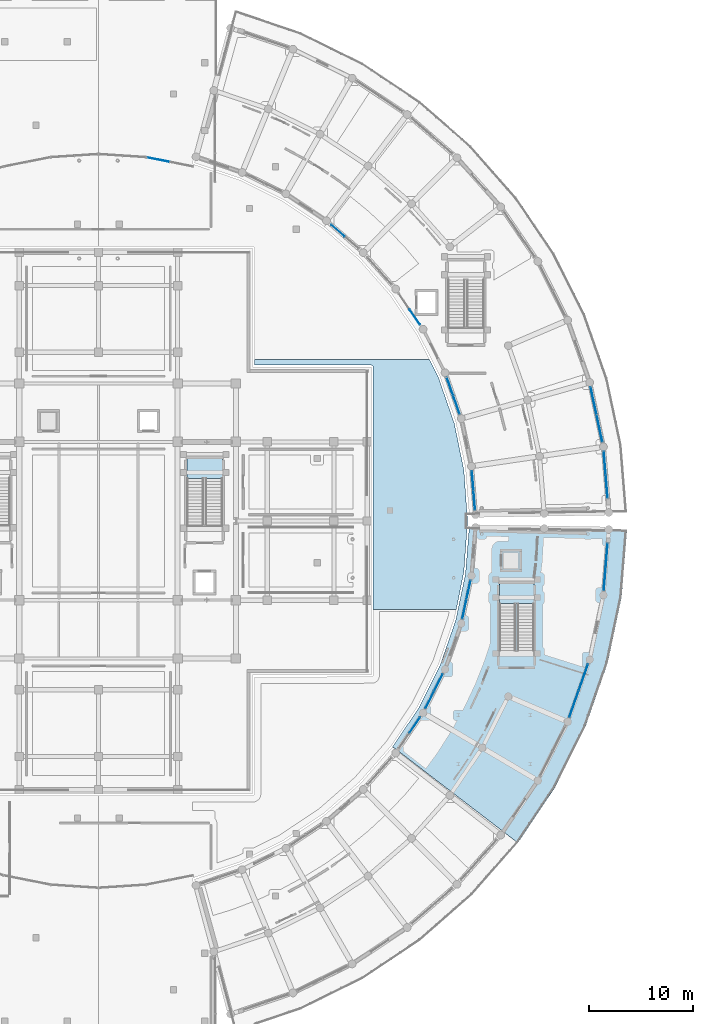
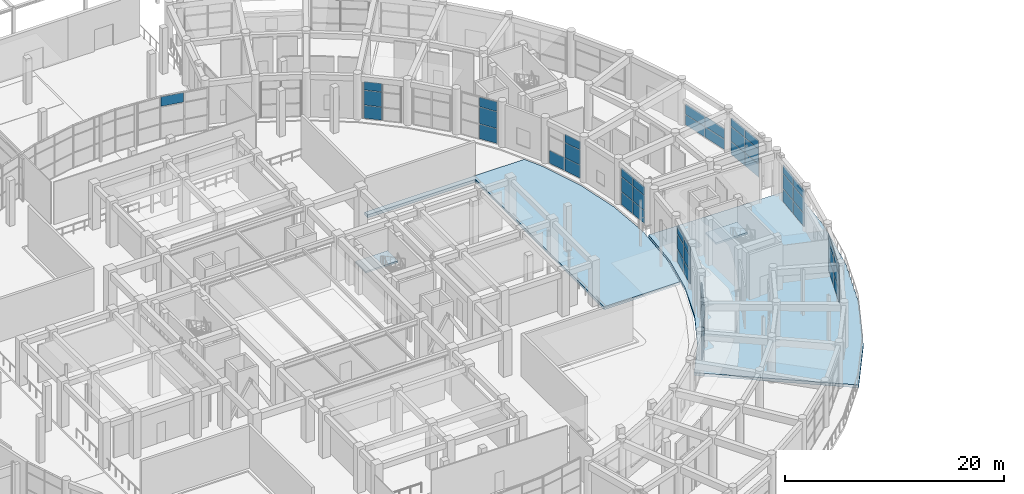
# One storey, part 60 of 99: 54 plates, 4 slabs, 14 elements without a shape of their own.
"""IFC4 building model written with IfcOpenShell, lengths in metres."""

from ifc_helpers import new_model, si_unit, direction, frame, origin, origin_2d, place, context, subcontext, project, spatial, polyline, rectangle, outline, extrude, material, layer, layer_set, type_object, element, aggregate, save


model = new_model("IFC4")

# Units and contexts
model_context = context("Model", 3, precision=1e-05, world=origin(), true_north=direction((0.0, 1.0)))
body_context = subcontext(model_context, "Body", "Model", "MODEL_VIEW")
ifc_project = project(units=[si_unit("LENGTHUNIT", "METRE"), si_unit("AREAUNIT", "SQUARE_METRE"), si_unit("VOLUMEUNIT", "CUBIC_METRE"), si_unit("PLANEANGLEUNIT", "RADIAN"), si_unit("MASSUNIT", "GRAM", prefix="KILO")], contexts=[model_context])

# Site, building, storey
site_placement = place(None, origin())
site = spatial("IfcSite", under=ifc_project, at=site_placement, CompositionType="ELEMENT")
building_placement = place(site_placement, origin())
building = spatial("IfcBuilding", under=site, at=building_placement, Name="Saryqyr Civic Hall", CompositionType="ELEMENT")
storey_placement = place(building_placement, origin())
storey = spatial("IfcBuildingStorey", under=building, at=storey_placement, Name="L00", CompositionType="ELEMENT", Elevation=0.0)

# Curtain wall, plates
ifc_material_1 = material(Name="Anodised aluminium and triple low-E glass", Category="aluminium")
curtain_wall_type_1 = type_object("IfcCurtainWallType", Name="ENV-CW-STD-09", PredefinedType="NOTDEFINED", material=ifc_material_1)
curtain_wall_1_placement = place(storey_placement, origin())
curtain_wall_1 = element("IfcCurtainWall", 1, at=curtain_wall_1_placement, inside=storey, type_object=curtain_wall_type_1, Name="Curtain wall V5-CWI-L00-05", PredefinedType="NOTDEFINED")
ifc_material_2 = material(Name="Triple low-E insulated glazing", Category="glass")
ifc_layer_1 = layer(ifc_material_2, 0.053955078125, Name="Triple low-E insulated glazing")
ifc_layer_set_1 = layer_set([ifc_layer_1], Name="Triple low-E insulated glazing")
plate_type = type_object("IfcPlateType", Name="ENV-CW-PNL-38", PredefinedType="CURTAIN_PANEL", material=ifc_layer_set_1)
plate_1_placement = place(storey_placement, frame((87.3603515625, 64.4033203125, 0.06005859375), z_axis=(0.0, 0.0, 1.0), x_axis=(0.563133092967, 0.826366213979, 0.0)))
plate_1 = element("IfcPlate", 2, at=plate_1_placement, type_object=plate_type, Name="CW-09 panel 2.1", PredefinedType="CURTAIN_PANEL", context=body_context, shape_type="SweptSolid", body=[
    extrude(rectangle(XDim=1.745361328125, YDim=0.053955078125, at=origin_2d()), origin(), (0.0, 0.0, 1.0), 1.419921875),
])
plate_2_placement = place(storey_placement, frame((87.3603515625, 64.4033203125, 1.5400390625), z_axis=(0.0, 0.0, 1.0), x_axis=(0.563133092967, 0.826366213979, 0.0)))
plate_2 = element("IfcPlate", 3, at=plate_2_placement, type_object=plate_type, Name="CW-09 panel 2.2", PredefinedType="CURTAIN_PANEL", context=body_context, shape_type="SweptSolid", body=[
    extrude(rectangle(XDim=1.745361328125, YDim=0.053955078125, at=origin_2d()), origin(), (0.0, 0.0, 1.0), 1.617919921875),
])
plate_3_placement = place(storey_placement, frame((87.3603515625, 64.4033203125, 3.218017578125), z_axis=(0.0, 0.0, 1.0), x_axis=(0.563133092967, 0.826366213979, 0.0)))
plate_3 = element("IfcPlate", 4, at=plate_3_placement, type_object=plate_type, Name="CW-09 panel 2.3", PredefinedType="CURTAIN_PANEL", context=body_context, shape_type="SweptSolid", body=[
    extrude(rectangle(XDim=1.745361328125, YDim=0.053955078125, at=origin_2d()), origin(), (0.0, 0.0, 1.0), 0.9169921875),
])
aggregate(curtain_wall_1, [plate_1, plate_2, plate_3])

curtain_wall_2_placement = place(storey_placement, origin())
curtain_wall_2 = element("IfcCurtainWall", 5, at=curtain_wall_2_placement, inside=storey, type_object=curtain_wall_type_1, Name="Curtain wall V5-CWI-L00-06", PredefinedType="NOTDEFINED")
plate_4_placement = place(storey_placement, frame((88.80859375, 66.8525390625, 0.06005859375), z_axis=(0.0, 0.0, 1.0), x_axis=(0.451949777601, 0.892043383769, 0.0)))
plate_4 = element("IfcPlate", 6, at=plate_4_placement, type_object=plate_type, Name="CW-09 panel 1.1", PredefinedType="CURTAIN_PANEL", context=body_context, shape_type="SweptSolid", body=[
    extrude(rectangle(XDim=1.782470703125, YDim=0.053955078125, at=origin_2d()), origin(), (0.0, 0.0, 1.0), 1.419921875),
])
plate_5_placement = place(storey_placement, frame((88.80859375, 66.8525390625, 1.5400390625), z_axis=(0.0, 0.0, 1.0), x_axis=(0.451949777601, 0.892043383769, 0.0)))
plate_5 = element("IfcPlate", 7, at=plate_5_placement, type_object=plate_type, Name="CW-09 panel 1.2", PredefinedType="CURTAIN_PANEL", context=body_context, shape_type="SweptSolid", body=[
    extrude(rectangle(XDim=1.782470703125, YDim=0.053955078125, at=origin_2d()), origin(), (0.0, 0.0, 1.0), 1.617919921875),
])
plate_6_placement = place(storey_placement, frame((88.80859375, 66.8525390625, 3.218017578125), z_axis=(0.0, 0.0, 1.0), x_axis=(0.451949777601, 0.892043383769, 0.0)))
plate_6 = element("IfcPlate", 8, at=plate_6_placement, type_object=plate_type, Name="CW-09 panel 1.3", PredefinedType="CURTAIN_PANEL", context=body_context, shape_type="SweptSolid", body=[
    extrude(rectangle(XDim=1.782470703125, YDim=0.053955078125, at=origin_2d()), origin(), (0.0, 0.0, 1.0), 0.9169921875),
])
plate_7_placement = place(storey_placement, frame((89.641357421875, 68.49609375, 0.06005859375), z_axis=(0.0, 0.0, 1.0), x_axis=(0.451949777601, 0.892043383769, 0.0)))
plate_7 = element("IfcPlate", 9, at=plate_7_placement, type_object=plate_type, Name="CW-09 panel 2.1", PredefinedType="CURTAIN_PANEL", context=body_context, shape_type="SweptSolid", body=[
    extrude(rectangle(XDim=1.782470703125, YDim=0.053955078125, at=origin_2d()), origin(), (0.0, 0.0, 1.0), 1.419921875),
])
plate_8_placement = place(storey_placement, frame((89.641357421875, 68.49609375, 1.5400390625), z_axis=(0.0, 0.0, 1.0), x_axis=(0.451949777601, 0.892043383769, 0.0)))
plate_8 = element("IfcPlate", 10, at=plate_8_placement, type_object=plate_type, Name="CW-09 panel 2.2", PredefinedType="CURTAIN_PANEL", context=body_context, shape_type="SweptSolid", body=[
    extrude(rectangle(XDim=1.782470703125, YDim=0.053955078125, at=origin_2d()), origin(), (0.0, 0.0, 1.0), 1.617919921875),
])
plate_9_placement = place(storey_placement, frame((89.641357421875, 68.49609375, 3.218017578125), z_axis=(0.0, 0.0, 1.0), x_axis=(0.451949777601, 0.892043383769, 0.0)))
plate_9 = element("IfcPlate", 11, at=plate_9_placement, type_object=plate_type, Name="CW-09 panel 2.3", PredefinedType="CURTAIN_PANEL", context=body_context, shape_type="SweptSolid", body=[
    extrude(rectangle(XDim=1.782470703125, YDim=0.053955078125, at=origin_2d()), origin(), (0.0, 0.0, 1.0), 0.9169921875),
])
aggregate(curtain_wall_2, [plate_4, plate_5, plate_6, plate_7, plate_8, plate_9])

curtain_wall_type_2 = type_object("IfcCurtainWallType", Name="ENV-CW-STD-35", PredefinedType="NOTDEFINED", material=ifc_material_1)
curtain_wall_3_placement = place(storey_placement, origin())
curtain_wall_3 = element("IfcCurtainWall", 12, at=curtain_wall_3_placement, inside=storey, type_object=curtain_wall_type_2, Name="Curtain wall V5-CWO-L00-07", PredefinedType="NOTDEFINED")
plate_10_placement = place(storey_placement, frame((103.552490234375, 68.977783203125, 0.06005859375), z_axis=(0.0, 0.0, 1.0), x_axis=(-0.333181095061, -0.942862852113, 0.0)))
plate_10 = element("IfcPlate", 13, at=plate_10_placement, type_object=plate_type, Name="CW-35 panel 1.1", PredefinedType="CURTAIN_PANEL", context=body_context, shape_type="SweptSolid", body=[
    extrude(rectangle(XDim=2.634033203125, YDim=0.053955078125, at=origin_2d()), origin(), (0.0, 0.0, 1.0), 1.419921875),
])
plate_11_placement = place(storey_placement, frame((103.552490234375, 68.977783203125, 1.5400390625), z_axis=(0.0, 0.0, 1.0), x_axis=(-0.333181095061, -0.942862852113, 0.0)))
plate_11 = element("IfcPlate", 14, at=plate_11_placement, type_object=plate_type, Name="CW-35 panel 1.2", PredefinedType="CURTAIN_PANEL", context=body_context, shape_type="SweptSolid", body=[
    extrude(rectangle(XDim=2.634033203125, YDim=0.053955078125, at=origin_2d()), origin(), (0.0, 0.0, 1.0), 1.617919921875),
])
plate_12_placement = place(storey_placement, frame((103.552490234375, 68.977783203125, 3.218017578125), z_axis=(0.0, 0.0, 1.0), x_axis=(-0.333181095061, -0.942862852113, 0.0)))
plate_12 = element("IfcPlate", 15, at=plate_12_placement, type_object=plate_type, Name="CW-35 panel 1.3", PredefinedType="CURTAIN_PANEL", context=body_context, shape_type="SweptSolid", body=[
    extrude(rectangle(XDim=2.634033203125, YDim=0.053955078125, at=origin_2d()), origin(), (0.0, 0.0, 1.0), 0.9169921875),
])
plate_13_placement = place(storey_placement, frame((102.65478515625, 66.437744140625, 0.06005859375), z_axis=(0.0, 0.0, 1.0), x_axis=(-0.333181095061, -0.942862852113, 0.0)))
plate_13 = element("IfcPlate", 16, at=plate_13_placement, type_object=plate_type, Name="CW-35 panel 2.1", PredefinedType="CURTAIN_PANEL", context=body_context, shape_type="SweptSolid", body=[
    extrude(rectangle(XDim=2.634033203125, YDim=0.053955078125, at=origin_2d()), origin(), (0.0, 0.0, 1.0), 1.419921875),
])
plate_14_placement = place(storey_placement, frame((102.65478515625, 66.437744140625, 1.5400390625), z_axis=(0.0, 0.0, 1.0), x_axis=(-0.333181095061, -0.942862852113, 0.0)))
plate_14 = element("IfcPlate", 17, at=plate_14_placement, type_object=plate_type, Name="CW-35 panel 2.2", PredefinedType="CURTAIN_PANEL", context=body_context, shape_type="SweptSolid", body=[
    extrude(rectangle(XDim=2.634033203125, YDim=0.053955078125, at=origin_2d()), origin(), (0.0, 0.0, 1.0), 1.617919921875),
])
plate_15_placement = place(storey_placement, frame((102.65478515625, 66.437744140625, 3.218017578125), z_axis=(0.0, 0.0, 1.0), x_axis=(-0.333181095061, -0.942862852113, 0.0)))
plate_15 = element("IfcPlate", 18, at=plate_15_placement, type_object=plate_type, Name="CW-35 panel 2.3", PredefinedType="CURTAIN_PANEL", context=body_context, shape_type="SweptSolid", body=[
    extrude(rectangle(XDim=2.634033203125, YDim=0.053955078125, at=origin_2d()), origin(), (0.0, 0.0, 1.0), 0.9169921875),
])
aggregate(curtain_wall_3, [plate_10, plate_11, plate_12, plate_13, plate_14, plate_15])

curtain_wall_type_3 = type_object("IfcCurtainWallType", Name="ENV-CW-STD-07", PredefinedType="NOTDEFINED", material=ifc_material_1)
curtain_wall_4_placement = place(storey_placement, origin())
curtain_wall_4 = element("IfcCurtainWall", 19, at=curtain_wall_4_placement, inside=storey, type_object=curtain_wall_type_3, Name="Curtain wall V5-CWI-L00-08", PredefinedType="NOTDEFINED")
plate_16_placement = place(storey_placement, frame((92.130859375, 75.532958984375, 0.06005859375), z_axis=(0.0, 0.0, 1.0), x_axis=(0.208909750792, 0.977934924228, 0.0)))
plate_16 = element("IfcPlate", 20, at=plate_16_placement, type_object=plate_type, Name="CW-07 panel 1.1", PredefinedType="CURTAIN_PANEL", context=body_context, shape_type="SweptSolid", body=[
    extrude(rectangle(XDim=1.8232421875, YDim=0.053955078125, at=origin_2d()), origin(), (0.0, 0.0, 1.0), 1.419921875),
])
plate_17_placement = place(storey_placement, frame((92.130859375, 75.532958984375, 1.5400390625), z_axis=(0.0, 0.0, 1.0), x_axis=(0.208909750792, 0.977934924228, 0.0)))
plate_17 = element("IfcPlate", 21, at=plate_17_placement, type_object=plate_type, Name="CW-07 panel 1.2", PredefinedType="CURTAIN_PANEL", context=body_context, shape_type="SweptSolid", body=[
    extrude(rectangle(XDim=1.8232421875, YDim=0.053955078125, at=origin_2d()), origin(), (0.0, 0.0, 1.0), 1.617919921875),
])
plate_18_placement = place(storey_placement, frame((92.130859375, 75.532958984375, 3.218017578125), z_axis=(0.0, 0.0, 1.0), x_axis=(0.208909750792, 0.977934924228, 0.0)))
plate_18 = element("IfcPlate", 22, at=plate_18_placement, type_object=plate_type, Name="CW-07 panel 1.3", PredefinedType="CURTAIN_PANEL", context=body_context, shape_type="SweptSolid", body=[
    extrude(rectangle(XDim=1.8232421875, YDim=0.053955078125, at=origin_2d()), origin(), (0.0, 0.0, 1.0), 0.9169921875),
])
plate_19_placement = place(storey_placement, frame((92.524169921875, 77.374755859375, 0.06005859375), z_axis=(0.0, 0.0, 1.0), x_axis=(0.208909750792, 0.977934924228, 0.0)))
plate_19 = element("IfcPlate", 23, at=plate_19_placement, type_object=plate_type, Name="CW-07 panel 2.1", PredefinedType="CURTAIN_PANEL", context=body_context, shape_type="SweptSolid", body=[
    extrude(rectangle(XDim=1.8232421875, YDim=0.053955078125, at=origin_2d()), origin(), (0.0, 0.0, 1.0), 1.419921875),
])
plate_20_placement = place(storey_placement, frame((92.524169921875, 77.374755859375, 1.5400390625), z_axis=(0.0, 0.0, 1.0), x_axis=(0.208909750792, 0.977934924228, 0.0)))
plate_20 = element("IfcPlate", 24, at=plate_20_placement, type_object=plate_type, Name="CW-07 panel 2.2", PredefinedType="CURTAIN_PANEL", context=body_context, shape_type="SweptSolid", body=[
    extrude(rectangle(XDim=1.8232421875, YDim=0.053955078125, at=origin_2d()), origin(), (0.0, 0.0, 1.0), 1.617919921875),
])
plate_21_placement = place(storey_placement, frame((92.524169921875, 77.374755859375, 3.218017578125), z_axis=(0.0, 0.0, 1.0), x_axis=(0.208909750792, 0.977934924228, 0.0)))
plate_21 = element("IfcPlate", 25, at=plate_21_placement, type_object=plate_type, Name="CW-07 panel 2.3", PredefinedType="CURTAIN_PANEL", context=body_context, shape_type="SweptSolid", body=[
    extrude(rectangle(XDim=1.8232421875, YDim=0.053955078125, at=origin_2d()), origin(), (0.0, 0.0, 1.0), 0.9169921875),
])
aggregate(curtain_wall_4, [plate_16, plate_17, plate_18, plate_19, plate_20, plate_21])

curtain_wall_type_4 = type_object("IfcCurtainWallType", Name="ENV-CW-STD-32", PredefinedType="NOTDEFINED", material=ifc_material_1)
curtain_wall_5_placement = place(storey_placement, origin())
curtain_wall_5 = element("IfcCurtainWall", 26, at=curtain_wall_5_placement, inside=storey, type_object=curtain_wall_type_4, Name="Curtain wall V5-CWO-L00-09", PredefinedType="NOTDEFINED")
plate_22_placement = place(storey_placement, frame((105.79345703125, 80.7314453125, 0.06005859375), z_axis=(0.0, 0.0, 1.0), x_axis=(-0.081093274213, -0.996706516923, 0.0)))
plate_22 = element("IfcPlate", 27, at=plate_22_placement, type_object=plate_type, Name="CW-32 panel 1.1", PredefinedType="CURTAIN_PANEL", context=body_context, shape_type="SweptSolid", body=[
    extrude(rectangle(XDim=2.218505859375, YDim=0.053955078125, at=origin_2d()), origin(), (0.0, 0.0, 1.0), 1.419921875),
])
plate_23_placement = place(storey_placement, frame((105.79345703125, 80.7314453125, 1.5400390625), z_axis=(0.0, 0.0, 1.0), x_axis=(-0.081093274213, -0.996706516923, 0.0)))
plate_23 = element("IfcPlate", 28, at=plate_23_placement, type_object=plate_type, Name="CW-32 panel 1.2", PredefinedType="CURTAIN_PANEL", context=body_context, shape_type="SweptSolid", body=[
    extrude(rectangle(XDim=2.218505859375, YDim=0.053955078125, at=origin_2d()), origin(), (0.0, 0.0, 1.0), 1.617919921875),
])
plate_24_placement = place(storey_placement, frame((105.79345703125, 80.7314453125, 3.218017578125), z_axis=(0.0, 0.0, 1.0), x_axis=(-0.081093274213, -0.996706516923, 0.0)))
plate_24 = element("IfcPlate", 29, at=plate_24_placement, type_object=plate_type, Name="CW-32 panel 1.3", PredefinedType="CURTAIN_PANEL", context=body_context, shape_type="SweptSolid", body=[
    extrude(rectangle(XDim=2.218505859375, YDim=0.053955078125, at=origin_2d()), origin(), (0.0, 0.0, 1.0), 0.9169921875),
])
plate_25_placement = place(storey_placement, frame((105.608642578125, 78.46044921875, 0.06005859375), z_axis=(0.0, 0.0, 1.0), x_axis=(-0.081093274213, -0.996706516923, 0.0)))
plate_25 = element("IfcPlate", 30, at=plate_25_placement, type_object=plate_type, Name="CW-32 panel 2.1", PredefinedType="CURTAIN_PANEL", context=body_context, shape_type="SweptSolid", body=[
    extrude(rectangle(XDim=2.218505859375, YDim=0.053955078125, at=origin_2d()), origin(), (0.0, 0.0, 1.0), 1.419921875),
])
plate_26_placement = place(storey_placement, frame((105.608642578125, 78.46044921875, 1.5400390625), z_axis=(0.0, 0.0, 1.0), x_axis=(-0.081093274213, -0.996706516923, 0.0)))
plate_26 = element("IfcPlate", 31, at=plate_26_placement, type_object=plate_type, Name="CW-32 panel 2.2", PredefinedType="CURTAIN_PANEL", context=body_context, shape_type="SweptSolid", body=[
    extrude(rectangle(XDim=2.218505859375, YDim=0.053955078125, at=origin_2d()), origin(), (0.0, 0.0, 1.0), 1.617919921875),
])
plate_27_placement = place(storey_placement, frame((105.608642578125, 78.46044921875, 3.218017578125), z_axis=(0.0, 0.0, 1.0), x_axis=(-0.081093274213, -0.996706516923, 0.0)))
plate_27 = element("IfcPlate", 32, at=plate_27_placement, type_object=plate_type, Name="CW-32 panel 2.3", PredefinedType="CURTAIN_PANEL", context=body_context, shape_type="SweptSolid", body=[
    extrude(rectangle(XDim=2.218505859375, YDim=0.053955078125, at=origin_2d()), origin(), (0.0, 0.0, 1.0), 0.9169921875),
])
aggregate(curtain_wall_5, [plate_22, plate_23, plate_24, plate_25, plate_26, plate_27])

curtain_wall_type_5 = type_object("IfcCurtainWallType", Name="ENV-CW-STD-12", PredefinedType="NOTDEFINED", material=ifc_material_1)
curtain_wall_6_placement = place(storey_placement, origin())
curtain_wall_6 = element("IfcCurtainWall", 33, at=curtain_wall_6_placement, inside=storey, type_object=curtain_wall_type_5, Name="Curtain wall V6-CWO-L00-00", PredefinedType="NOTDEFINED")
plate_28_placement = place(storey_placement, frame((105.607177734375, 89.558349609375, 0.06005859375), z_axis=(0.0, 0.0, 1.0), x_axis=(0.081093731966, -0.99670647968, 0.0)))
plate_28 = element("IfcPlate", 34, at=plate_28_placement, type_object=plate_type, Name="CW-12 panel 1.1", PredefinedType="CURTAIN_PANEL", context=body_context, shape_type="SweptSolid", body=[
    extrude(rectangle(XDim=2.180908203125, YDim=0.053955078125, at=origin_2d()), origin(), (0.0, 0.0, 1.0), 1.419921875),
])
plate_29_placement = place(storey_placement, frame((105.607177734375, 89.558349609375, 1.5400390625), z_axis=(0.0, 0.0, 1.0), x_axis=(0.081093731966, -0.99670647968, 0.0)))
plate_29 = element("IfcPlate", 35, at=plate_29_placement, type_object=plate_type, Name="CW-12 panel 1.2", PredefinedType="CURTAIN_PANEL", context=body_context, shape_type="SweptSolid", body=[
    extrude(rectangle(XDim=2.180908203125, YDim=0.053955078125, at=origin_2d()), origin(), (0.0, 0.0, 1.0), 1.617919921875),
])
plate_30_placement = place(storey_placement, frame((105.607177734375, 89.558349609375, 3.218017578125), z_axis=(0.0, 0.0, 1.0), x_axis=(0.081093731966, -0.99670647968, 0.0)))
plate_30 = element("IfcPlate", 36, at=plate_30_placement, type_object=plate_type, Name="CW-12 panel 1.3", PredefinedType="CURTAIN_PANEL", context=body_context, shape_type="SweptSolid", body=[
    extrude(rectangle(XDim=2.180908203125, YDim=0.053955078125, at=origin_2d()), origin(), (0.0, 0.0, 1.0), 0.9169921875),
])
plate_31_placement = place(storey_placement, frame((105.788818359375, 87.324951171875, 0.06005859375), z_axis=(0.0, 0.0, 1.0), x_axis=(0.081093731966, -0.99670647968, 0.0)))
plate_31 = element("IfcPlate", 37, at=plate_31_placement, type_object=plate_type, Name="CW-12 panel 2.1", PredefinedType="CURTAIN_PANEL", context=body_context, shape_type="SweptSolid", body=[
    extrude(rectangle(XDim=2.180908203125, YDim=0.053955078125, at=origin_2d()), origin(), (0.0, 0.0, 1.0), 1.419921875),
])
plate_32_placement = place(storey_placement, frame((105.788818359375, 87.324951171875, 1.5400390625), z_axis=(0.0, 0.0, 1.0), x_axis=(0.081093731966, -0.99670647968, 0.0)))
plate_32 = element("IfcPlate", 38, at=plate_32_placement, type_object=plate_type, Name="CW-12 panel 2.2", PredefinedType="CURTAIN_PANEL", context=body_context, shape_type="SweptSolid", body=[
    extrude(rectangle(XDim=2.180908203125, YDim=0.053955078125, at=origin_2d()), origin(), (0.0, 0.0, 1.0), 1.617919921875),
])
plate_33_placement = place(storey_placement, frame((105.788818359375, 87.324951171875, 3.218017578125), z_axis=(0.0, 0.0, 1.0), x_axis=(0.081093731966, -0.99670647968, 0.0)))
plate_33 = element("IfcPlate", 39, at=plate_33_placement, type_object=plate_type, Name="CW-12 panel 2.3", PredefinedType="CURTAIN_PANEL", context=body_context, shape_type="SweptSolid", body=[
    extrude(rectangle(XDim=2.180908203125, YDim=0.053955078125, at=origin_2d()), origin(), (0.0, 0.0, 1.0), 0.9169921875),
])
aggregate(curtain_wall_6, [plate_28, plate_29, plate_30, plate_31, plate_32, plate_33])

curtain_wall_7_placement = place(storey_placement, origin())
curtain_wall_7 = element("IfcCurtainWall", 40, at=curtain_wall_7_placement, inside=storey, type_object=curtain_wall_type_3, Name="Curtain wall V6-CWI-L00-00", PredefinedType="NOTDEFINED")
plate_34_placement = place(storey_placement, frame((93.08203125, 85.987548828125, 0.06005859375), z_axis=(0.0, 0.0, 1.0), x_axis=(-0.081091878651, 0.996706630467, 0.0)))
plate_34 = element("IfcPlate", 41, at=plate_34_placement, type_object=plate_type, Name="CW-07 panel 1.1", PredefinedType="CURTAIN_PANEL", context=body_context, shape_type="SweptSolid", body=[
    extrude(rectangle(XDim=1.831298828125, YDim=0.053955078125, at=origin_2d()), origin(), (0.0, 0.0, 1.0), 1.419921875),
])
plate_35_placement = place(storey_placement, frame((93.08203125, 85.987548828125, 1.5400390625), z_axis=(0.0, 0.0, 1.0), x_axis=(-0.081091878651, 0.996706630467, 0.0)))
plate_35 = element("IfcPlate", 42, at=plate_35_placement, type_object=plate_type, Name="CW-07 panel 1.2", PredefinedType="CURTAIN_PANEL", context=body_context, shape_type="SweptSolid", body=[
    extrude(rectangle(XDim=1.831298828125, YDim=0.053955078125, at=origin_2d()), origin(), (0.0, 0.0, 1.0), 1.617919921875),
])
plate_36_placement = place(storey_placement, frame((93.08203125, 85.987548828125, 3.218017578125), z_axis=(0.0, 0.0, 1.0), x_axis=(-0.081091878651, 0.996706630467, 0.0)))
plate_36 = element("IfcPlate", 43, at=plate_36_placement, type_object=plate_type, Name="CW-07 panel 1.3", PredefinedType="CURTAIN_PANEL", context=body_context, shape_type="SweptSolid", body=[
    extrude(rectangle(XDim=1.831298828125, YDim=0.053955078125, at=origin_2d()), origin(), (0.0, 0.0, 1.0), 0.9169921875),
])
plate_37_placement = place(storey_placement, frame((92.9287109375, 87.87255859375, 0.06005859375), z_axis=(0.0, 0.0, 1.0), x_axis=(-0.081091878651, 0.996706630467, 0.0)))
plate_37 = element("IfcPlate", 44, at=plate_37_placement, type_object=plate_type, Name="CW-07 panel 2.1", PredefinedType="CURTAIN_PANEL", context=body_context, shape_type="SweptSolid", body=[
    extrude(rectangle(XDim=1.831298828125, YDim=0.053955078125, at=origin_2d()), origin(), (0.0, 0.0, 1.0), 1.419921875),
])
plate_38_placement = place(storey_placement, frame((92.9287109375, 87.87255859375, 1.5400390625), z_axis=(0.0, 0.0, 1.0), x_axis=(-0.081091878651, 0.996706630467, 0.0)))
plate_38 = element("IfcPlate", 45, at=plate_38_placement, type_object=plate_type, Name="CW-07 panel 2.2", PredefinedType="CURTAIN_PANEL", context=body_context, shape_type="SweptSolid", body=[
    extrude(rectangle(XDim=1.831298828125, YDim=0.053955078125, at=origin_2d()), origin(), (0.0, 0.0, 1.0), 1.617919921875),
])
plate_39_placement = place(storey_placement, frame((92.9287109375, 87.87255859375, 3.218017578125), z_axis=(0.0, 0.0, 1.0), x_axis=(-0.081091878651, 0.996706630467, 0.0)))
plate_39 = element("IfcPlate", 46, at=plate_39_placement, type_object=plate_type, Name="CW-07 panel 2.3", PredefinedType="CURTAIN_PANEL", context=body_context, shape_type="SweptSolid", body=[
    extrude(rectangle(XDim=1.831298828125, YDim=0.053955078125, at=origin_2d()), origin(), (0.0, 0.0, 1.0), 0.9169921875),
])
aggregate(curtain_wall_7, [plate_34, plate_35, plate_36, plate_37, plate_38, plate_39])

curtain_wall_type_6 = type_object("IfcCurtainWallType", Name="ENV-CW-STD-38", PredefinedType="NOTDEFINED", material=ifc_material_1)
curtain_wall_8_placement = place(storey_placement, origin())
curtain_wall_8 = element("IfcCurtainWall", 47, at=curtain_wall_8_placement, inside=storey, type_object=curtain_wall_type_6, Name="Curtain wall V6-CWO-L00-01", PredefinedType="NOTDEFINED")
plate_40_placement = place(storey_placement, frame((104.535888671875, 95.53955078125, 0.06005859375), z_axis=(0.0, 0.0, 1.0), x_axis=(0.208915877242, -0.977933615455, 0.0)))
plate_40 = element("IfcPlate", 48, at=plate_40_placement, type_object=plate_type, Name="CW-38 panel 1.1", PredefinedType="CURTAIN_PANEL", context=body_context, shape_type="SweptSolid", body=[
    extrude(rectangle(XDim=2.64990234375, YDim=0.053955078125, at=origin_2d()), origin(), (0.0, 0.0, 1.0), 1.135009765625),
])
plate_41_placement = place(storey_placement, frame((104.535888671875, 95.53955078125, 1.2548828125), z_axis=(0.0, 0.0, 1.0), x_axis=(0.208915877242, -0.977933615455, 0.0)))
plate_41 = element("IfcPlate", 49, at=plate_41_placement, type_object=plate_type, Name="CW-38 panel 1.2", PredefinedType="CURTAIN_PANEL", context=body_context, shape_type="SweptSolid", body=[
    extrude(rectangle(XDim=2.64990234375, YDim=0.053955078125, at=origin_2d()), origin(), (0.0, 0.0, 1.0), 1.135009765625),
])
plate_42_placement = place(storey_placement, frame((105.10205078125, 92.889404296875, 0.06005859375), z_axis=(0.0, 0.0, 1.0), x_axis=(0.208915877242, -0.977933615455, 0.0)))
plate_42 = element("IfcPlate", 50, at=plate_42_placement, type_object=plate_type, Name="CW-38 panel 2.1", PredefinedType="CURTAIN_PANEL", context=body_context, shape_type="SweptSolid", body=[
    extrude(rectangle(XDim=2.64990234375, YDim=0.053955078125, at=origin_2d()), origin(), (0.0, 0.0, 1.0), 1.135009765625),
])
plate_43_placement = place(storey_placement, frame((105.10205078125, 92.889404296875, 1.2548828125), z_axis=(0.0, 0.0, 1.0), x_axis=(0.208915877242, -0.977933615455, 0.0)))
plate_43 = element("IfcPlate", 51, at=plate_43_placement, type_object=plate_type, Name="CW-38 panel 2.2", PredefinedType="CURTAIN_PANEL", context=body_context, shape_type="SweptSolid", body=[
    extrude(rectangle(XDim=2.64990234375, YDim=0.053955078125, at=origin_2d()), origin(), (0.0, 0.0, 1.0), 1.135009765625),
])
aggregate(curtain_wall_8, [plate_40, plate_41, plate_42, plate_43])

curtain_wall_9_placement = place(storey_placement, origin())
curtain_wall_9 = element("IfcCurtainWall", 52, at=curtain_wall_9_placement, inside=storey, type_object=curtain_wall_type_3, Name="Curtain wall V6-CWI-L00-02", PredefinedType="NOTDEFINED")
plate_44_placement = place(storey_placement, frame((91.371337890625, 95.156005859375, 0.06005859375), z_axis=(0.0, 0.0, 1.0), x_axis=(-0.333172944954, 0.942865732091, 0.0)))
plate_44 = element("IfcPlate", 53, at=plate_44_placement, type_object=plate_type, Name="CW-07 panel 1.1", PredefinedType="CURTAIN_PANEL", context=body_context, shape_type="SweptSolid", body=[
    extrude(rectangle(XDim=1.8076171875, YDim=0.053955078125, at=origin_2d()), origin(), (0.0, 0.0, 1.0), 1.419921875),
])
plate_45_placement = place(storey_placement, frame((91.371337890625, 95.156005859375, 1.5400390625), z_axis=(0.0, 0.0, 1.0), x_axis=(-0.333172944954, 0.942865732091, 0.0)))
plate_45 = element("IfcPlate", 54, at=plate_45_placement, type_object=plate_type, Name="CW-07 panel 1.2", PredefinedType="CURTAIN_PANEL", context=body_context, shape_type="SweptSolid", body=[
    extrude(rectangle(XDim=1.8076171875, YDim=0.053955078125, at=origin_2d()), origin(), (0.0, 0.0, 1.0), 1.617919921875),
])
plate_46_placement = place(storey_placement, frame((91.371337890625, 95.156005859375, 3.218017578125), z_axis=(0.0, 0.0, 1.0), x_axis=(-0.333172944954, 0.942865732091, 0.0)))
plate_46 = element("IfcPlate", 55, at=plate_46_placement, type_object=plate_type, Name="CW-07 panel 1.3", PredefinedType="CURTAIN_PANEL", context=body_context, shape_type="SweptSolid", body=[
    extrude(rectangle(XDim=1.8076171875, YDim=0.053955078125, at=origin_2d()), origin(), (0.0, 0.0, 1.0), 0.9169921875),
])
plate_47_placement = place(storey_placement, frame((90.749267578125, 96.916748046875, 0.06005859375), z_axis=(0.0, 0.0, 1.0), x_axis=(-0.333172944954, 0.942865732091, 0.0)))
plate_47 = element("IfcPlate", 56, at=plate_47_placement, type_object=plate_type, Name="CW-07 panel 2.1", PredefinedType="CURTAIN_PANEL", context=body_context, shape_type="SweptSolid", body=[
    extrude(rectangle(XDim=1.8076171875, YDim=0.053955078125, at=origin_2d()), origin(), (0.0, 0.0, 1.0), 1.419921875),
])
aggregate(curtain_wall_9, [plate_44, plate_45, plate_46, plate_47])

curtain_wall_type_7 = type_object("IfcCurtainWallType", Name="ENV-CW-STD-43", PredefinedType="NOTDEFINED", material=ifc_material_1)
curtain_wall_10_placement = place(storey_placement, origin())
curtain_wall_10 = element("IfcCurtainWall", 57, at=curtain_wall_10_placement, inside=storey, type_object=curtain_wall_type_7, Name="Curtain wall V6-CWI-L00-04", PredefinedType="NOTDEFINED")
plate_48_placement = place(storey_placement, frame((87.3603515625, 103.5966796875, 0.06005859375), z_axis=(0.0, 0.0, 1.0), x_axis=(-0.563133092967, 0.826366213979, 0.0)))
plate_48 = element("IfcPlate", 58, at=plate_48_placement, type_object=plate_type, Name="CW-43 panel 1.1", PredefinedType="CURTAIN_PANEL", context=body_context, shape_type="SweptSolid", body=[
    extrude(rectangle(XDim=1.745361328125, YDim=0.053955078125, at=origin_2d()), origin(), (0.0, 0.0, 1.0), 1.6201171875),
])
plate_49_placement = place(storey_placement, frame((87.3603515625, 103.5966796875, 1.73974609375), z_axis=(0.0, 0.0, 1.0), x_axis=(-0.563133092967, 0.826366213979, 0.0)))
plate_49 = element("IfcPlate", 59, at=plate_49_placement, type_object=plate_type, Name="CW-43 panel 1.2", PredefinedType="CURTAIN_PANEL", context=body_context, shape_type="SweptSolid", body=[
    extrude(rectangle(XDim=1.745361328125, YDim=0.053955078125, at=origin_2d()), origin(), (0.0, 0.0, 1.0), 1.840087890625),
])
plate_50_placement = place(storey_placement, frame((87.3603515625, 103.5966796875, 3.64013671875), z_axis=(0.0, 0.0, 1.0), x_axis=(-0.563133092967, 0.826366213979, 0.0)))
plate_50 = element("IfcPlate", 60, at=plate_50_placement, type_object=plate_type, Name="CW-43 panel 1.3", PredefinedType="CURTAIN_PANEL", context=body_context, shape_type="SweptSolid", body=[
    extrude(rectangle(XDim=1.745361328125, YDim=0.053955078125, at=origin_2d()), origin(), (0.0, 0.0, 1.0), 1.050048828125),
])
aggregate(curtain_wall_10, [plate_48, plate_49, plate_50])

curtain_wall_type_8 = type_object("IfcCurtainWallType", Name="ENV-CW-STD-11", PredefinedType="NOTDEFINED", material=ifc_material_1)
curtain_wall_11_placement = place(storey_placement, origin())
curtain_wall_11 = element("IfcCurtainWall", 61, at=curtain_wall_11_placement, inside=storey, type_object=curtain_wall_type_8, Name="Curtain wall V6-CWI-L00-06", PredefinedType="NOTDEFINED")
plate_51_placement = place(storey_placement, frame((79.99609375, 111.87353515625, 0.06005859375), z_axis=(0.0, 0.0, 1.0), x_axis=(-0.755649416541, 0.654976304367, 0.0)))
plate_51 = element("IfcPlate", 62, at=plate_51_placement, type_object=plate_type, Name="CW-11 panel 2.1", PredefinedType="CURTAIN_PANEL", context=body_context, shape_type="SweptSolid", body=[
    extrude(rectangle(XDim=1.698486328125, YDim=0.053955078125, at=origin_2d()), origin(), (0.0, 0.0, 1.0), 1.419921875),
])
plate_52_placement = place(storey_placement, frame((79.99609375, 111.87353515625, 1.5400390625), z_axis=(0.0, 0.0, 1.0), x_axis=(-0.755649416541, 0.654976304367, 0.0)))
plate_52 = element("IfcPlate", 63, at=plate_52_placement, type_object=plate_type, Name="CW-11 panel 2.2", PredefinedType="CURTAIN_PANEL", context=body_context, shape_type="SweptSolid", body=[
    extrude(rectangle(XDim=1.698486328125, YDim=0.053955078125, at=origin_2d()), origin(), (0.0, 0.0, 1.0), 1.617919921875),
])
plate_53_placement = place(storey_placement, frame((79.99609375, 111.87353515625, 3.218017578125), z_axis=(0.0, 0.0, 1.0), x_axis=(-0.755649416541, 0.654976304367, 0.0)))
plate_53 = element("IfcPlate", 64, at=plate_53_placement, type_object=plate_type, Name="CW-11 panel 2.3", PredefinedType="CURTAIN_PANEL", context=body_context, shape_type="SweptSolid", body=[
    extrude(rectangle(XDim=1.698486328125, YDim=0.053955078125, at=origin_2d()), origin(), (0.0, 0.0, 1.0), 0.9169921875),
])
aggregate(curtain_wall_11, [plate_51, plate_52, plate_53])

# Curtain wall, plate
curtain_wall_type_9 = type_object("IfcCurtainWallType", Name="ENV-CW-STD-67", PredefinedType="NOTDEFINED", material=ifc_material_1)
curtain_wall_12_placement = place(storey_placement, origin())
curtain_wall_12 = element("IfcCurtainWall", 65, at=curtain_wall_12_placement, inside=storey, type_object=curtain_wall_type_9, Name="Curtain wall V2-PERIM-CW-L00-10", PredefinedType="NOTDEFINED")
plate_54_placement = place(storey_placement, frame((62.741455078125, 118.691162109375, 3.64013671875), z_axis=(0.0, 0.0, 1.0), x_axis=(0.980784679507, -0.195093342902, 0.0)))
plate_54 = element("IfcPlate", 66, at=plate_54_placement, type_object=plate_type, Name="CW-67 panel 1.3", PredefinedType="CURTAIN_PANEL", context=body_context, shape_type="SweptSolid", body=[
    extrude(rectangle(XDim=2.213623046875, YDim=0.053955078125, at=origin_2d()), origin(), (0.0, 0.0, 1.0), 1.050048828125),
])
aggregate(curtain_wall_12, [plate_54])

# Slabs
ifc_material_3 = material(Name="Concrete C40/50", Category="concrete")
ifc_layer_2 = layer(ifc_material_3, 0.320068359375, Name="Concrete C40/50")
ifc_layer_set_2 = layer_set([ifc_layer_2], Name="Concrete C40/50")
slab_type_1 = type_object("IfcSlabType", Name="STR-SLB-FLR-320", PredefinedType="FLOOR", material=ifc_layer_set_2)
slab_1_placement = place(storey_placement, frame((0.0, 0.0, -0.320068359375)))
element("IfcSlab", 67, at=slab_1_placement, inside=storey, type_object=slab_type_1, Name="Slab SLB-V5B-L00", PredefinedType="FLOOR", context=body_context, shape_type="SweptSolid", body=[
    extrude(outline(polyline([(87.771240234375, 66.097900390625), (89.799072265625, 70.15869140625), (91.293701171875, 74.4443359375), (92.230712890625, 78.885498046875), (92.59521484375, 83.409912109375), (107.742919921875, 83.15869140625), (107.223388671875, 76.708984375), (105.8876953125, 70.3779296875), (103.757080078125, 64.268310546875), (100.866455078125, 58.4794921875), (97.2626953125, 53.10546875), (85.243408203125, 62.328125), (87.771240234375, 66.097900390625)])), origin(), (0.0, 0.0, 1.0), 0.320068359375),
])
slab_2_placement = place(storey_placement, frame((0.0, 0.0, -0.320068359375)))
element("IfcSlab", 68, at=slab_2_placement, inside=storey, type_object=slab_type_1, Name="Slab SLB-V2E-L00", PredefinedType="FLOOR", context=body_context, shape_type="SweptSolid", body=[
    extrude(outline(polyline([(89.66748046875, 97.714111328125), (91.16455078125, 93.372314453125), (92.08740234375, 88.873779296875), (92.43994140625, 84.0), (92.091064453125, 79.143798828125), (91.352783203125, 75.5), (83.360107421875, 75.5), (83.341064453125, 98.87548828125), (83.288818359375, 98.93310546875), (83.199951171875, 98.9599609375), (71.9599609375, 98.9599609375), (71.9599609375, 99.5), (88.78662109375, 99.5), (89.66748046875, 97.714111328125)])), origin(), (0.0, 0.0, 1.0), 0.320068359375),
])

# Stair, slab
ifc_material_4 = material(Name="Concrete C35/45", Category="concrete")
stair_type_1 = type_object("IfcStairType", Name="INT-STR-ST-2", PredefinedType="HALF_TURN_STAIR", material=ifc_material_4)
stair_1_placement = place(storey_placement, origin())
stair_1 = element("IfcStair", 69, at=stair_1_placement, inside=storey, type_object=stair_type_1, Name="L00 Protected Exit Stair ST-2", PredefinedType="HALF_TURN_STAIR")
ifc_layer_3 = layer(ifc_material_4, 0.199951171875, Name="Concrete C35/45")
ifc_layer_set_3 = layer_set([ifc_layer_3], Name="Concrete C35/45")
slab_type_2 = type_object("IfcSlabType", Name="STR-SLB-LND-200", PredefinedType="LANDING", material=ifc_layer_set_3)
slab_3_placement = place(storey_placement, frame((0.0, 0.0, 2.35009765625)))
slab_3 = element("IfcSlab", 70, at=slab_3_placement, type_object=slab_type_2, Name="ST-2 landing 1", PredefinedType="LANDING", context=body_context, shape_type="SweptSolid", body=[
    extrude(outline(polyline([(68.89990234375, 88.10009765625), (68.89990234375, 90.0), (65.5, 90.0), (65.5, 88.10009765625), (68.89990234375, 88.10009765625)])), origin(), (0.0, 0.0, 1.0), 0.199951171875),
])
aggregate(stair_1, [slab_3])

stair_type_2 = type_object("IfcStairType", Name="INT-STR-ST-5", PredefinedType="HALF_TURN_STAIR", material=ifc_material_4)
stair_2_placement = place(storey_placement, origin())
stair_2 = element("IfcStair", 71, at=stair_2_placement, inside=storey, type_object=stair_type_2, Name="L00 Protected Exit Stair ST-5", PredefinedType="HALF_TURN_STAIR")
slab_4_placement = place(storey_placement, frame((0.0, 0.0, 2.35009765625)))
slab_4 = element("IfcSlab", 72, at=slab_4_placement, type_object=slab_type_2, Name="ST-5 landing 1", PredefinedType="LANDING", context=body_context, shape_type="SweptSolid", body=[
    extrude(outline(polyline([(98.800048828125, 76.06005859375), (98.800048828125, 78.0), (95.47998046875, 78.0), (95.47998046875, 76.06005859375), (98.800048828125, 76.06005859375)])), origin(), (0.0, 0.0, 1.0), 0.199951171875),
])
aggregate(stair_2, [slab_4])

save(model, "model.ifc")
